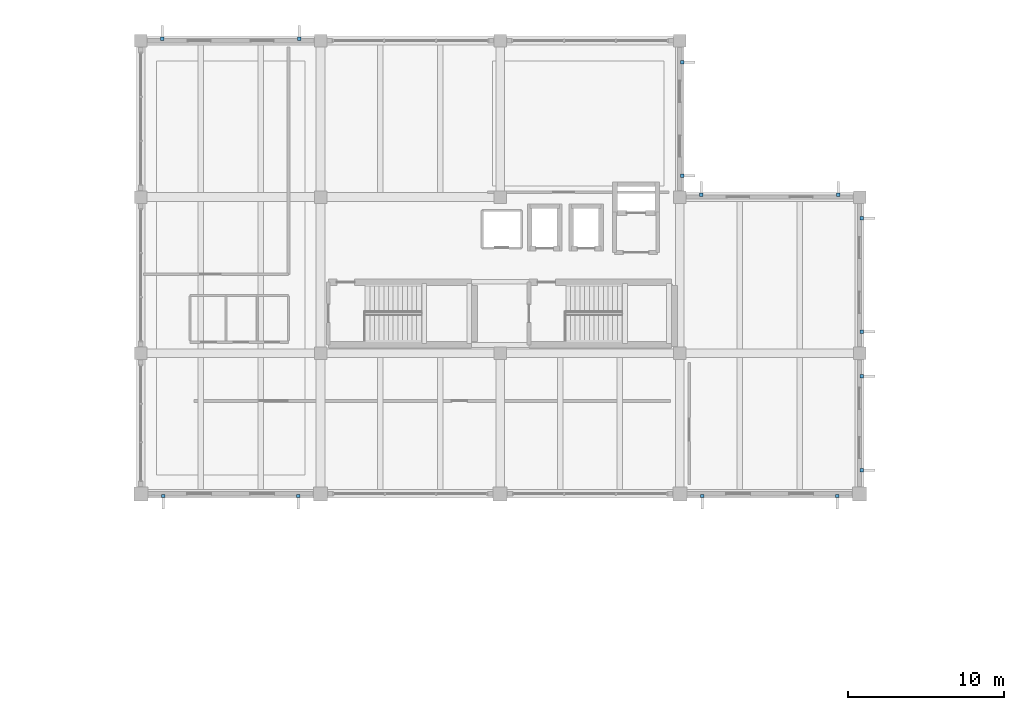
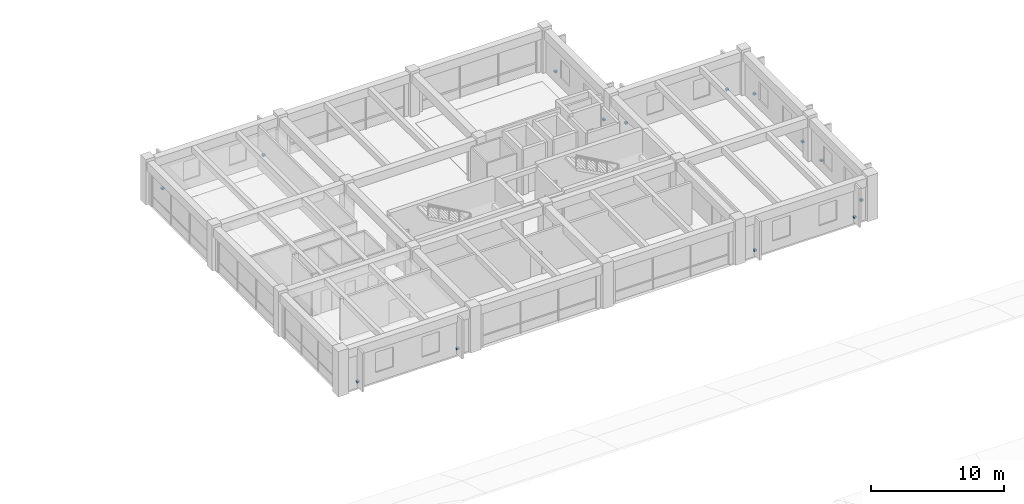
# One storey, part 31 of 33: 14 discrete accessories.
"""IFC4 building model written with IfcOpenShell, lengths in metres."""

from ifc_helpers import new_model, si_unit, direction, frame, origin, origin_2d, place, context, subcontext, project, spatial, rectangle, extrude, material, type_object, element, save


model = new_model("IFC4")

# Units and contexts
model_context = context("Model", 3, precision=1e-05, world=origin(), true_north=direction((0.0, 1.0)))
body_context = subcontext(model_context, "Body", "Model", "MODEL_VIEW")
ifc_project = project(units=[si_unit("LENGTHUNIT", "METRE"), si_unit("AREAUNIT", "SQUARE_METRE"), si_unit("VOLUMEUNIT", "CUBIC_METRE"), si_unit("PLANEANGLEUNIT", "RADIAN"), si_unit("MASSUNIT", "GRAM", prefix="KILO")], contexts=[model_context])

# Site, building, storey
site_placement = place(None, origin())
site = spatial("IfcSite", under=ifc_project, at=site_placement, CompositionType="ELEMENT")
building_placement = place(site_placement, origin())
building = spatial("IfcBuilding", under=site, at=building_placement, Name="Ologun Quay Terminus", CompositionType="ELEMENT")
storey_placement = place(building_placement, frame((0.0, 0.0, 18.300048828125)))
storey = spatial("IfcBuildingStorey", under=building, at=storey_placement, Name="L04", CompositionType="ELEMENT", Elevation=18.300048828125)

# Discrete accessories
ifc_material = material(Name="Steel S355", Category="steel")
discrete_accessory_type = type_object("IfcDiscreteAccessoryType", Name="Solar Fin Stainless Support Bracket", PredefinedType="BRACKET", material=ifc_material)
for number, where, z_axis, x_axis, name in (
    (1, (116.419921875, 85.659912109375, 0.52001953125), (0.0, 0.0, 1.0), (1.0, 0.0, 0.0), "BRK-01 Solar Fin Bracket WEW-EW-L04-1-1"),
    (2, (125.080078125, 85.659912109375, 0.52001953125), (0.0, 0.0, 1.0), (1.0, 0.0, 0.0), "BRK-01 Solar Fin Bracket WEW-EW-L04-1-2"),
    (3, (150.919921875, 85.659912109375, 0.52001953125), (0.0, 0.0, 1.0), (1.0, 0.0, 0.0), "BRK-01 Solar Fin Bracket WEW-EW-L04-4-1"),
    (4, (159.580078125, 85.659912109375, 0.52001953125), (0.0, 0.0, 1.0), (1.0, 0.0, 0.0), "BRK-01 Solar Fin Bracket WEW-EW-L04-4-2"),
    (5, (161.139892578125, 87.320068359375, 0.52001953125), (0.0, 0.0, 1.0), (1.0, 0.0, 0.0), "BRK-01 Solar Fin Bracket WEW-EW-L04-5-1"),
    (6, (161.139892578125, 93.330078125, 0.52001953125), (0.0, 0.0, 1.0), (1.0, 0.0, 0.0), "BRK-01 Solar Fin Bracket WEW-EW-L04-5-2"),
    (7, (161.139892578125, 96.169921875, 0.52001953125), (0.0, 0.0, 1.0), (1.0, 0.0, 0.0), "BRK-01 Solar Fin Bracket WEW-EW-L04-6-1"),
    (8, (161.139892578125, 103.429931640625, 0.52001953125), (0.0, 0.0, 1.0), (1.0, 0.0, 0.0), "BRK-01 Solar Fin Bracket WEW-EW-L04-6-2"),
    (9, (150.8701171875, 104.93994140625, 0.52001953125), (0.0, 0.0, 1.0), (1.0, 0.0, 0.0), "BRK-01 Solar Fin Bracket WEW-EW-L04-7-1"),
    (10, (159.6298828125, 104.93994140625, 0.52001953125), (0.0, 0.0, 1.0), (1.0, 0.0, 0.0), "BRK-01 Solar Fin Bracket WEW-EW-L04-7-2"),
    (11, (149.639892578125, 106.169921875, 0.52001953125), (0.0, 0.0, 1.0), (1.0, 0.0, 0.0), "BRK-01 Solar Fin Bracket WEW-EW-L04-8-1"),
    (12, (149.639892578125, 113.429931640625, 0.52001953125), (0.0, 0.0, 1.0), (1.0, 0.0, 0.0), "BRK-01 Solar Fin Bracket WEW-EW-L04-8-2"),
    (13, (116.3701171875, 114.93994140625, 0.52001953125), (0.0, 0.0, 1.0), (1.0, 0.0, 0.0), "BRK-01 Solar Fin Bracket WEW-EW-L04-9-1"),
    (14, (125.1298828125, 114.93994140625, 0.52001953125), (0.0, 0.0, 1.0), (1.0, 0.0, 0.0), "BRK-01 Solar Fin Bracket WEW-EW-L04-9-2"),
):
    element("IfcDiscreteAccessory", number, at=place(storey_placement, frame(where, z_axis=z_axis, x_axis=x_axis)), inside=storey, type_object=discrete_accessory_type, Name=name, PredefinedType="BRACKET", context=body_context, shape_type="SweptSolid", body=[
        extrude(rectangle(XDim=0.219970703125, YDim=0.219970703125, at=origin_2d()), origin(), (0.0, 0.0, 1.0), 0.159912109375),
    ])

save(model, "model.ifc")
